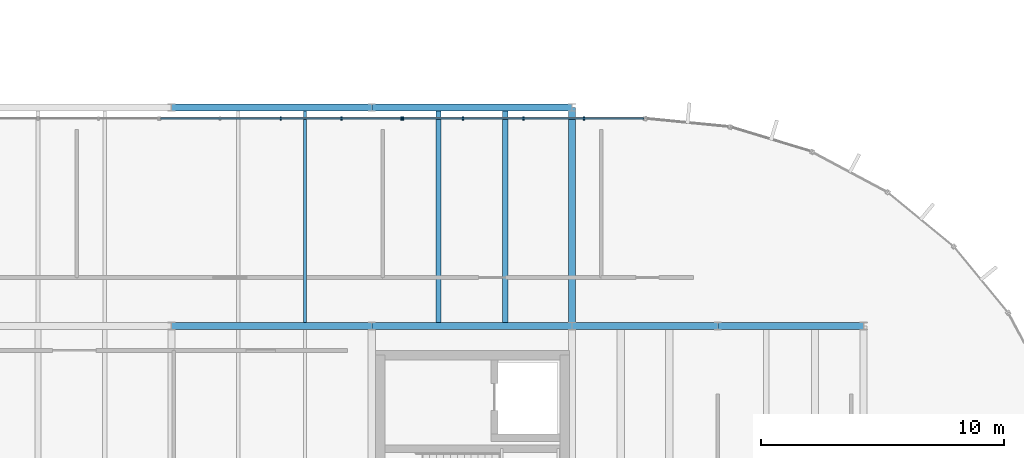
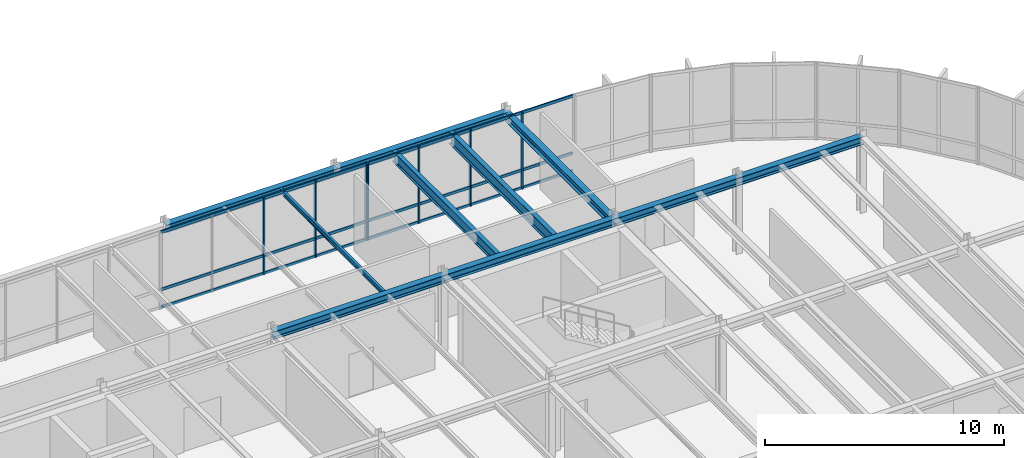
# One storey, part 13 of 27: 13 members, 10 beams, 2 elements without a shape of their own.
"""IFC4 building model written with IfcOpenShell, lengths in metres."""

from ifc_helpers import new_model, si_unit, direction, frame, origin, origin_2d, place, context, subcontext, project, spatial, rectangle, i_section, extrude, material, layer, layer_set, material_profile, profile_set, type_object, element, aggregate, save


model = new_model("IFC4")

# Units and contexts
model_context = context("Model", 3, precision=1e-05, world=origin(), true_north=direction((0.0, 1.0)))
body_context = subcontext(model_context, "Body", "Model", "MODEL_VIEW")
ifc_project = project(units=[si_unit("LENGTHUNIT", "METRE"), si_unit("AREAUNIT", "SQUARE_METRE"), si_unit("VOLUMEUNIT", "CUBIC_METRE"), si_unit("PLANEANGLEUNIT", "RADIAN"), si_unit("MASSUNIT", "GRAM", prefix="KILO")], contexts=[model_context])

# Site, building, storey
site_placement = place(None, origin())
site = spatial("IfcSite", under=ifc_project, at=site_placement, CompositionType="ELEMENT")
building_placement = place(site_placement, origin())
building = spatial("IfcBuilding", under=site, at=building_placement, Name="Montealbar Specialist Clinic", CompositionType="ELEMENT")
storey_placement = place(building_placement, frame((0.0, 0.0, 18.0)))
storey = spatial("IfcBuildingStorey", under=building, at=storey_placement, Name="L04", CompositionType="ELEMENT", Elevation=18.0)

# Beams
ifc_material_1 = material(Name="Steel S355", Category="steel")
ifc_material_profile_1 = material_profile(ifc_material_1, i_section(OverallWidth=0.300048828125, OverallDepth=0.39990234375, WebThickness=0.013427734375, FlangeThickness=0.02392578125, FilletRadius=0.027099609375, at=origin_2d()), Name="HEB 400", Category="steel")
ifc_profile_set_1 = profile_set([ifc_material_profile_1], Name="Steel S355")
beam_type_1 = type_object("IfcBeamType", Name="BM-GIRD-HEB400", PredefinedType="BEAM", material=ifc_profile_set_1)
for number, where, z_axis, x_axis, name in (
    (1, (82.5, 36.0, 3.68994140625), (1.0, 0.0, 0.0), (0.0, 1.0, 0.0), "Beam GX-L04-825-908-360"),
    (2, (90.75, 36.0, 3.68994140625), (1.0, 0.0, 0.0), (0.0, 1.0, 0.0), "Beam GX-L04-908-990-360"),
):
    element("IfcBeam", number, at=place(storey_placement, frame(where, z_axis=z_axis, x_axis=x_axis)), inside=storey, type_object=beam_type_1, Name=name, PredefinedType="BEAM", context=body_context, shape_type="SweptSolid", body=[
        extrude(i_section(OverallWidth=0.300048828125, OverallDepth=0.39990234375, WebThickness=0.013427734375, FlangeThickness=0.02392578125, FilletRadius=0.027099609375, at=origin_2d()), origin(), (0.0, 0.0, 1.0), 8.25),
    ])
for number, where, z_axis, x_axis, name in (
    (3, (99.0, 36.0, 3.68994140625), (1.0, 0.0, 0.0), (0.0, 1.0, 0.0), "Beam GX-L04-990-1050-360"),
    (4, (105.0, 36.0, 3.68994140625), (1.0, 0.0, 0.0), (0.0, 1.0, 0.0), "Beam GX-L04-1050-1110-360"),
):
    element("IfcBeam", number, at=place(storey_placement, frame(where, z_axis=z_axis, x_axis=x_axis)), inside=storey, type_object=beam_type_1, Name=name, PredefinedType="BEAM", context=body_context, shape_type="SweptSolid", body=[
        extrude(i_section(OverallWidth=0.300048828125, OverallDepth=0.39990234375, WebThickness=0.013427734375, FlangeThickness=0.02392578125, FilletRadius=0.027099609375, at=origin_2d()), origin(), (0.0, 0.0, 1.0), 6.0),
    ])
for number, where, z_axis, x_axis, name in (
    (5, (82.5, 45.0, 3.68994140625), (1.0, 0.0, 0.0), (0.0, 1.0, 0.0), "Beam GX-L04-825-908-450"),
    (6, (90.75, 45.0, 3.68994140625), (1.0, 0.0, 0.0), (0.0, 1.0, 0.0), "Beam GX-L04-908-990-450"),
):
    element("IfcBeam", number, at=place(storey_placement, frame(where, z_axis=z_axis, x_axis=x_axis)), inside=storey, type_object=beam_type_1, Name=name, PredefinedType="BEAM", context=body_context, shape_type="SweptSolid", body=[
        extrude(i_section(OverallWidth=0.300048828125, OverallDepth=0.39990234375, WebThickness=0.013427734375, FlangeThickness=0.02392578125, FilletRadius=0.027099609375, at=origin_2d()), origin(), (0.0, 0.0, 1.0), 8.25),
    ])
beam_1_placement = place(storey_placement, frame((99.0, 36.0, 3.68994140625), z_axis=(0.0, 1.0, 0.0), x_axis=(-1.0, 0.0, 0.0)))
element("IfcBeam", 7, at=beam_1_placement, inside=storey, type_object=beam_type_1, Name="Beam GY-L04-990-360-450", PredefinedType="BEAM", context=body_context, shape_type="SweptSolid", body=[
    extrude(i_section(OverallWidth=0.300048828125, OverallDepth=0.39990234375, WebThickness=0.013427734375, FlangeThickness=0.02392578125, FilletRadius=0.027099609375, at=origin_2d()), origin(), (0.0, 0.0, 1.0), 9.0),
])
ifc_material_profile_2 = material_profile(ifc_material_1, i_section(OverallWidth=0.1201171875, OverallDepth=0.239990234375, WebThickness=0.006103515625, FlangeThickness=0.009765625, FilletRadius=0.014892578125, at=origin_2d()), Name="IPE 240", Category="steel")
ifc_profile_set_2 = profile_set([ifc_material_profile_2], Name="Steel S355")
beam_type_2 = type_object("IfcBeamType", Name="BM-JST-IPE240", PredefinedType="JOIST", material=ifc_profile_set_2)
beam_2_placement = place(storey_placement, frame((88.0, 36.14990234375, 3.77001953125), z_axis=(0.0, 1.0, 0.0), x_axis=(-1.0, 0.0, 0.0)))
element("IfcBeam", 8, at=beam_2_placement, inside=storey, type_object=beam_type_2, Name="Beam JST-L04-880-362-448", PredefinedType="JOIST", context=body_context, shape_type="SweptSolid", body=[
    extrude(i_section(OverallWidth=0.1201171875, OverallDepth=0.239990234375, WebThickness=0.006103515625, FlangeThickness=0.009765625, FilletRadius=0.014892578125, at=origin_2d()), origin(), (0.0, 0.0, 1.0), 8.7001953125),
])
ifc_material_profile_3 = material_profile(ifc_material_1, i_section(OverallWidth=0.2099609375, OverallDepth=0.550048828125, WebThickness=0.010986328125, FlangeThickness=0.01708984375, FilletRadius=0.02392578125, at=origin_2d()), Name="IPE 550", Category="steel")
ifc_profile_set_3 = profile_set([ifc_material_profile_3], Name="Steel S355")
beam_type_3 = type_object("IfcBeamType", Name="BM-JST-IPE550", PredefinedType="JOIST", material=ifc_profile_set_3)
beam_3_placement = place(storey_placement, frame((93.5, 36.14990234375, 3.614990234375), z_axis=(0.0, 1.0, 0.0), x_axis=(-1.0, 0.0, 0.0)))
element("IfcBeam", 9, at=beam_3_placement, inside=storey, type_object=beam_type_3, Name="Beam JST-L04-935-362-448", PredefinedType="JOIST", context=body_context, shape_type="SweptSolid", body=[
    extrude(i_section(OverallWidth=0.2099609375, OverallDepth=0.550048828125, WebThickness=0.010986328125, FlangeThickness=0.01708984375, FilletRadius=0.02392578125, at=origin_2d()), origin(), (0.0, 0.0, 1.0), 8.7001953125),
])
ifc_material_profile_4 = material_profile(ifc_material_1, i_section(OverallWidth=0.219970703125, OverallDepth=0.60009765625, WebThickness=0.011962890625, FlangeThickness=0.01904296875, FilletRadius=0.02392578125, at=origin_2d()), Name="IPE 600", Category="steel")
ifc_profile_set_4 = profile_set([ifc_material_profile_4], Name="Steel S355")
beam_type_4 = type_object("IfcBeamType", Name="BM-JST-IPE600", PredefinedType="JOIST", material=ifc_profile_set_4)
beam_4_placement = place(storey_placement, frame((96.25, 36.14990234375, 3.590087890625), z_axis=(0.0, 1.0, 0.0), x_axis=(-1.0, 0.0, 0.0)))
element("IfcBeam", 10, at=beam_4_placement, inside=storey, type_object=beam_type_4, Name="Beam JST-L04-962-362-448", PredefinedType="JOIST", context=body_context, shape_type="SweptSolid", body=[
    extrude(i_section(OverallWidth=0.219970703125, OverallDepth=0.60009765625, WebThickness=0.011962890625, FlangeThickness=0.01904296875, FilletRadius=0.02392578125, at=origin_2d()), origin(), (0.0, 0.0, 1.0), 8.7001953125),
])

# Curtain wall, members
ifc_material_2 = material(Name="Low-E double glazing", Category="glass")
ifc_layer = layer(ifc_material_2, 0.199951171875, Name="Low-E double glazing", Category="glass")
ifc_layer_set = layer_set([ifc_layer], Name="Low-E double glazing")
curtain_wall_type = type_object("IfcCurtainWallType", Name="CW-TYPE-30", PredefinedType="NOTDEFINED", material=ifc_layer_set)
curtain_wall_1_placement = place(storey_placement, origin())
curtain_wall_1 = element("IfcCurtainWall", 11, at=curtain_wall_1_placement, inside=storey, type_object=curtain_wall_type, Name="Unitised Curtain Wall CW-L04-820-446-920-446-180", PredefinedType="NOTDEFINED")
ifc_material_3 = material(Name="Anodised aluminium EN AW-6063", Category="aluminium")
ifc_material_profile_5 = material_profile(ifc_material_3, rectangle(XDim=0.06005859375, YDim=0.159912109375, at=origin_2d()), Name="ALU 60x160", Category="aluminium")
ifc_profile_set_5 = profile_set([ifc_material_profile_5], Name="Anodised aluminium EN AW-6063")
member_type_1 = type_object("IfcMemberType", Name="CW-MUL-160", PredefinedType="MULLION", material=ifc_profile_set_5)
member_1_placement = place(storey_placement, frame((87.0, 44.550048828125, 0.0), z_axis=(0.0, 0.0, 1.0), x_axis=(1.0, 0.0, 0.0)))
member_1 = element("IfcMember", 12, at=member_1_placement, type_object=member_type_1, Name="Curtain Wall Mullion CW-L04-820-446-920-446-180-02", PredefinedType="MULLION", context=body_context, shape_type="SweptSolid", body=[
    extrude(rectangle(XDim=0.06005859375, YDim=0.159912109375, at=origin_2d()), origin(), (0.0, 0.0, 1.0), 3.919921875),
])
member_2_placement = place(storey_placement, frame((89.5, 44.550048828125, 0.0), z_axis=(0.0, 0.0, 1.0), x_axis=(1.0, 0.0, 0.0)))
member_2 = element("IfcMember", 13, at=member_2_placement, type_object=member_type_1, Name="Curtain Wall Mullion CW-L04-820-446-920-446-180-03", PredefinedType="MULLION", context=body_context, shape_type="SweptSolid", body=[
    extrude(rectangle(XDim=0.06005859375, YDim=0.159912109375, at=origin_2d()), origin(), (0.0, 0.0, 1.0), 3.919921875),
])
member_3_placement = place(storey_placement, frame((91.965087890625, 44.550048828125, 0.0), z_axis=(0.0, 0.0, 1.0), x_axis=(1.0, 0.0, 0.0)))
member_3 = element("IfcMember", 14, at=member_3_placement, type_object=member_type_1, Name="Curtain Wall Mullion CW-L04-820-446-920-446-180-04", PredefinedType="MULLION", context=body_context, shape_type="SweptSolid", body=[
    extrude(rectangle(XDim=0.06005859375, YDim=0.159912109375, at=origin_2d()), origin(), (0.0, 0.0, 1.0), 3.919921875),
])

curtain_wall_2_placement = place(storey_placement, origin())
curtain_wall_2 = element("IfcCurtainWall", 15, at=curtain_wall_2_placement, inside=storey, type_object=curtain_wall_type, Name="Unitised Curtain Wall CW-L04-920-446-1020-446-180", PredefinedType="NOTDEFINED")
member_4_placement = place(storey_placement, frame((92.034912109375, 44.550048828125, 0.0), z_axis=(0.0, 0.0, 1.0), x_axis=(1.0, 0.0, 0.0)))
member_4 = element("IfcMember", 16, at=member_4_placement, type_object=member_type_1, Name="Curtain Wall Mullion CW-L04-920-446-1020-446-180-00", PredefinedType="MULLION", context=body_context, shape_type="SweptSolid", body=[
    extrude(rectangle(XDim=0.06005859375, YDim=0.159912109375, at=origin_2d()), origin(), (0.0, 0.0, 1.0), 3.919921875),
])
member_5_placement = place(storey_placement, frame((94.5, 44.550048828125, 0.0), z_axis=(0.0, 0.0, 1.0), x_axis=(1.0, 0.0, 0.0)))
member_5 = element("IfcMember", 17, at=member_5_placement, type_object=member_type_1, Name="Curtain Wall Mullion CW-L04-920-446-1020-446-180-01", PredefinedType="MULLION", context=body_context, shape_type="SweptSolid", body=[
    extrude(rectangle(XDim=0.06005859375, YDim=0.159912109375, at=origin_2d()), origin(), (0.0, 0.0, 1.0), 3.919921875),
])
member_6_placement = place(storey_placement, frame((97.0, 44.550048828125, 0.0), z_axis=(0.0, 0.0, 1.0), x_axis=(1.0, 0.0, 0.0)))
member_6 = element("IfcMember", 18, at=member_6_placement, type_object=member_type_1, Name="Curtain Wall Mullion CW-L04-920-446-1020-446-180-02", PredefinedType="MULLION", context=body_context, shape_type="SweptSolid", body=[
    extrude(rectangle(XDim=0.06005859375, YDim=0.159912109375, at=origin_2d()), origin(), (0.0, 0.0, 1.0), 3.919921875),
])
member_7_placement = place(storey_placement, frame((99.5, 44.550048828125, 0.0), z_axis=(0.0, 0.0, 1.0), x_axis=(1.0, 0.0, 0.0)))
member_7 = element("IfcMember", 19, at=member_7_placement, type_object=member_type_1, Name="Curtain Wall Mullion CW-L04-920-446-1020-446-180-03", PredefinedType="MULLION", context=body_context, shape_type="SweptSolid", body=[
    extrude(rectangle(XDim=0.06005859375, YDim=0.159912109375, at=origin_2d()), origin(), (0.0, 0.0, 1.0), 3.919921875),
])

# Member
ifc_material_4 = material(Name="Powder-coated aluminium", Category="aluminium")
ifc_material_profile_6 = material_profile(ifc_material_4, rectangle(XDim=0.070068359375, YDim=0.139892578125, at=origin_2d()), Name="ALU 70x140", Category="aluminium")
ifc_profile_set_6 = profile_set([ifc_material_profile_6], Name="Powder-coated aluminium")
member_type_2 = type_object("IfcMemberType", Name="CW-TRN-140", PredefinedType="USERDEFINED", material=ifc_profile_set_6)
member_8_placement = place(storey_placement, frame((82.050048828125, 44.550048828125, 0.0400390625), z_axis=(1.0, 0.0, 0.0), x_axis=(0.0, 1.0, 0.0)))
member_8 = element("IfcMember", 20, at=member_8_placement, type_object=member_type_2, Name="Curtain Wall Transom CW-L04-820-446-920-446-180-00", ObjectType="TRANSOM", PredefinedType="USERDEFINED", context=body_context, shape_type="SweptSolid", body=[
    extrude(rectangle(XDim=0.070068359375, YDim=0.139892578125, at=origin_2d()), origin(), (0.0, 0.0, 1.0), 9.89990234375),
])

member_9_placement = place(storey_placement, frame((82.050048828125, 44.550048828125, 0.949951171875), z_axis=(1.0, 0.0, 0.0), x_axis=(0.0, 1.0, 0.0)))
member_9 = element("IfcMember", 21, at=member_9_placement, type_object=member_type_2, Name="Curtain Wall Transom CW-L04-820-446-920-446-180-01", ObjectType="TRANSOM", PredefinedType="USERDEFINED", context=body_context, shape_type="SweptSolid", body=[
    extrude(rectangle(XDim=0.070068359375, YDim=0.139892578125, at=origin_2d()), origin(), (0.0, 0.0, 1.0), 9.89990234375),
])

member_10_placement = place(storey_placement, frame((82.050048828125, 44.550048828125, 3.8798828125), z_axis=(1.0, 0.0, 0.0), x_axis=(0.0, 1.0, 0.0)))
member_10 = element("IfcMember", 22, at=member_10_placement, type_object=member_type_2, Name="Curtain Wall Transom CW-L04-820-446-920-446-180-02", ObjectType="TRANSOM", PredefinedType="USERDEFINED", context=body_context, shape_type="SweptSolid", body=[
    extrude(rectangle(XDim=0.070068359375, YDim=0.139892578125, at=origin_2d()), origin(), (0.0, 0.0, 1.0), 9.89990234375),
])

aggregate(curtain_wall_1, [member_1, member_2, member_3, member_8, member_9, member_10])

member_11_placement = place(storey_placement, frame((92.050048828125, 44.550048828125, 0.0400390625), z_axis=(1.0, 0.0, 0.0), x_axis=(0.0, 1.0, 0.0)))
member_11 = element("IfcMember", 23, at=member_11_placement, type_object=member_type_2, Name="Curtain Wall Transom CW-L04-920-446-1020-446-180-00", ObjectType="TRANSOM", PredefinedType="USERDEFINED", context=body_context, shape_type="SweptSolid", body=[
    extrude(rectangle(XDim=0.070068359375, YDim=0.139892578125, at=origin_2d()), origin(), (0.0, 0.0, 1.0), 9.89990234375),
])

member_12_placement = place(storey_placement, frame((92.050048828125, 44.550048828125, 0.949951171875), z_axis=(1.0, 0.0, 0.0), x_axis=(0.0, 1.0, 0.0)))
member_12 = element("IfcMember", 24, at=member_12_placement, type_object=member_type_2, Name="Curtain Wall Transom CW-L04-920-446-1020-446-180-01", ObjectType="TRANSOM", PredefinedType="USERDEFINED", context=body_context, shape_type="SweptSolid", body=[
    extrude(rectangle(XDim=0.070068359375, YDim=0.139892578125, at=origin_2d()), origin(), (0.0, 0.0, 1.0), 9.89990234375),
])

member_13_placement = place(storey_placement, frame((92.050048828125, 44.550048828125, 3.8798828125), z_axis=(1.0, 0.0, 0.0), x_axis=(0.0, 1.0, 0.0)))
member_13 = element("IfcMember", 25, at=member_13_placement, type_object=member_type_2, Name="Curtain Wall Transom CW-L04-920-446-1020-446-180-02", ObjectType="TRANSOM", PredefinedType="USERDEFINED", context=body_context, shape_type="SweptSolid", body=[
    extrude(rectangle(XDim=0.070068359375, YDim=0.139892578125, at=origin_2d()), origin(), (0.0, 0.0, 1.0), 9.89990234375),
])

aggregate(curtain_wall_2, [member_4, member_5, member_6, member_7, member_11, member_12, member_13])

save(model, "model.ifc")
